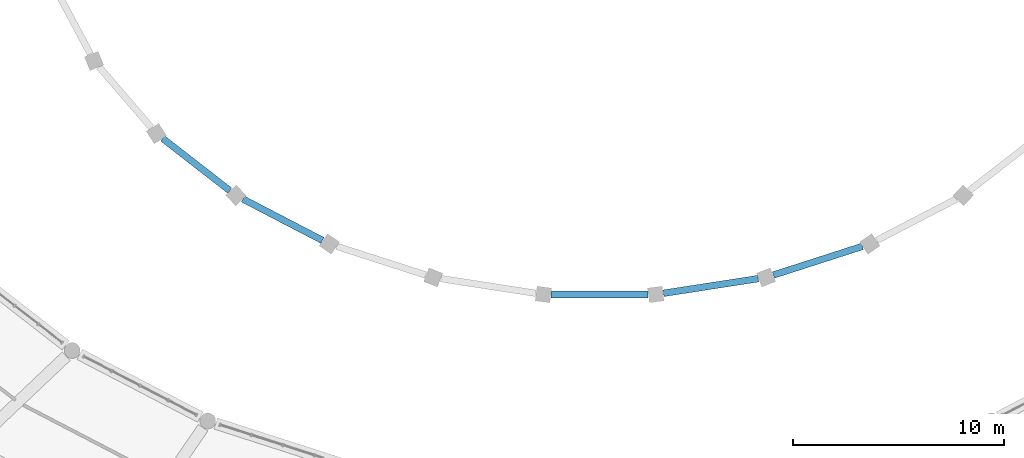
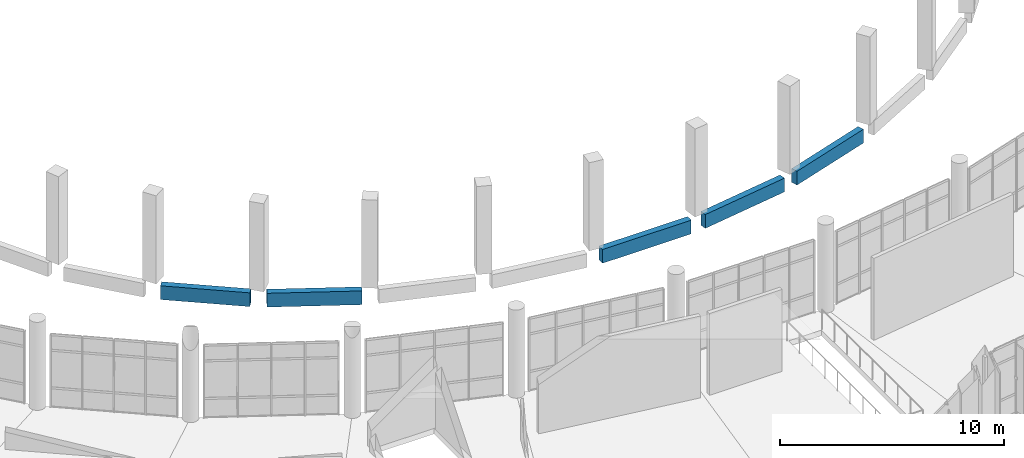
# One storey, part 16 of 179: 5 beams.
"""IFC4 building model written with IfcOpenShell, lengths in metres."""

from ifc_helpers import new_model, si_unit, direction, frame, origin, origin_2d, place, context, subcontext, project, spatial, rectangle, extrude, material, material_profile, profile_set, type_object, element, save


model = new_model("IFC4")

# Units and contexts
model_context = context("Model", 3, precision=1e-05, world=origin(), true_north=direction((0.0, 1.0)))
body_context = subcontext(model_context, "Body", "Model", "MODEL_VIEW")
ifc_project = project(units=[si_unit("LENGTHUNIT", "METRE"), si_unit("AREAUNIT", "SQUARE_METRE"), si_unit("VOLUMEUNIT", "CUBIC_METRE"), si_unit("PLANEANGLEUNIT", "RADIAN"), si_unit("MASSUNIT", "GRAM", prefix="KILO")], contexts=[model_context])

# Site, building, storey
site_placement = place(None, origin())
site = spatial("IfcSite", under=ifc_project, at=site_placement, CompositionType="ELEMENT")
building_placement = place(site_placement, origin())
building = spatial("IfcBuilding", under=site, at=building_placement, Name="Corvandel Quay Wholesale Market", CompositionType="ELEMENT")
storey_placement = place(building_placement, frame((0.0, 0.0, 6.0)))
storey = spatial("IfcBuildingStorey", under=building, at=storey_placement, Name="L01", CompositionType="ELEMENT", Elevation=6.0)

# Beams
ifc_material = material(Name="Precast concrete C45/55", Category="concrete")
ifc_material_profile = material_profile(ifc_material, rectangle(XDim=0.320068359375, YDim=0.75, at=origin_2d()), Name="PC-SPN-320x750")
ifc_profile_set = profile_set([ifc_material_profile], Name="Precast concrete C45/55")
beam_type = type_object("IfcBeamType", Name="Pavilion Precast Spandrel SP02 320x750", PredefinedType="SPANDREL", material=ifc_profile_set)
beam_1_placement = place(storey_placement, frame((93.320068359375, 28.385986328125, -0.655029296875), z_axis=(0.78933588498, -0.613961611734, 0.0), x_axis=(0.613961611734, 0.78933588498, 0.0)))
element("IfcBeam", 1, at=beam_1_placement, inside=storey, type_object=beam_type, Name="Beam BM-0245", PredefinedType="SPANDREL", context=body_context, shape_type="SweptSolid", body=[
    extrude(rectangle(XDim=0.320068359375, YDim=0.75, at=origin_2d()), origin(), (0.0, 0.0, 1.0), 4.024658203125),
])
beam_2_placement = place(storey_placement, frame((97.1171875, 25.517333984375, -0.655029296875), z_axis=(0.88734581097, -0.461104556206, 0.0), x_axis=(0.461104556206, 0.88734581097, 0.0)))
element("IfcBeam", 2, at=beam_2_placement, inside=storey, type_object=beam_type, Name="Beam BM-0257", PredefinedType="SPANDREL", context=body_context, shape_type="SweptSolid", body=[
    extrude(rectangle(XDim=0.320068359375, YDim=0.75, at=origin_2d()), origin(), (0.0, 0.0, 1.0), 4.24365234375),
])
beam_3_placement = place(storey_placement, frame((111.7109375, 21.0, -0.655029296875), z_axis=(1.0, 0.0, 0.0), x_axis=(0.0, 1.0, 0.0)))
element("IfcBeam", 3, at=beam_3_placement, inside=storey, type_object=beam_type, Name="Beam BM-0291", PredefinedType="SPANDREL", context=body_context, shape_type="SweptSolid", body=[
    extrude(rectangle(XDim=0.320068359375, YDim=0.75, at=origin_2d()), origin(), (0.0, 0.0, 1.0), 4.578125),
])
beam_4_placement = place(storey_placement, frame((117.024658203125, 21.056640625, -0.655029296875), z_axis=(0.988247001744, 0.152865508026, 0.0), x_axis=(-0.152865508026, 0.988247001744, 0.0)))
element("IfcBeam", 4, at=beam_4_placement, inside=storey, type_object=beam_type, Name="Beam BM-0303", PredefinedType="SPANDREL", context=body_context, shape_type="SweptSolid", body=[
    extrude(rectangle(XDim=0.320068359375, YDim=0.75, at=origin_2d()), origin(), (0.0, 0.0, 1.0), 4.5390625),
])
beam_5_placement = place(storey_placement, frame((122.228271484375, 21.92041015625, -0.655029296875), z_axis=(0.951799647142, 0.30672044552, 0.0), x_axis=(-0.30672044552, 0.951799647142, 0.0)))
element("IfcBeam", 5, at=beam_5_placement, inside=storey, type_object=beam_type, Name="Beam BM-0314", PredefinedType="SPANDREL", context=body_context, shape_type="SweptSolid", body=[
    extrude(rectangle(XDim=0.320068359375, YDim=0.75, at=origin_2d()), origin(), (0.0, 0.0, 1.0), 4.421630859375),
])

save(model, "model.ifc")
